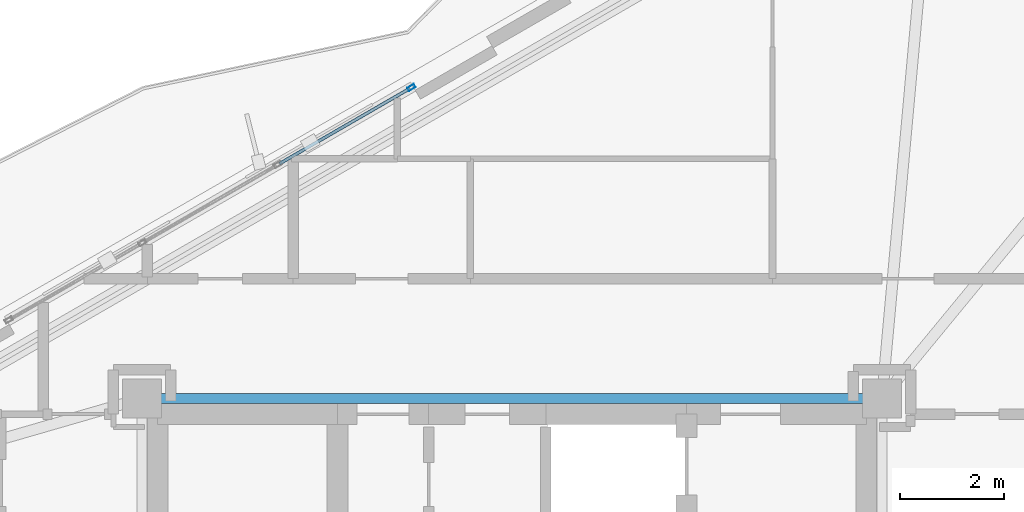
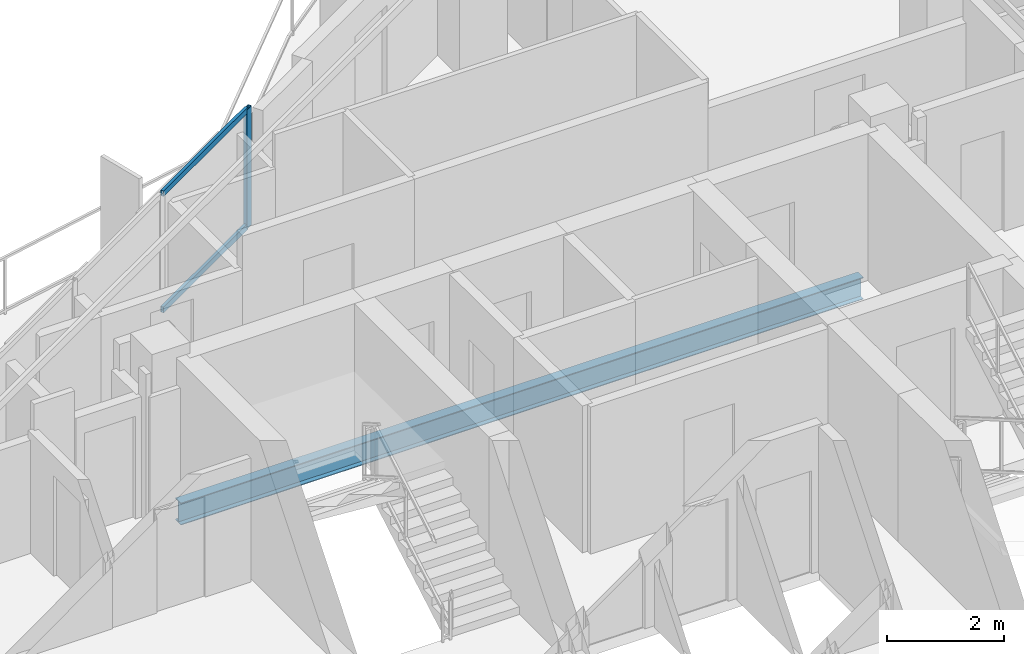
# One storey, part 14 of 22: 3 members, 1 beam, 1 element without a shape of its own.
"""IFC4 building model written with IfcOpenShell, lengths in metres."""

from ifc_helpers import new_model, si_unit, direction, frame, origin, origin_2d, place, context, subcontext, project, spatial, hollow_rectangle, i_section, extrude, material, layer, layer_set, material_profile, profile_set, type_object, element, aggregate, save


model = new_model("IFC4")

# Units and contexts
model_context = context("Model", 3, precision=1e-05, world=origin(), true_north=direction((0.0, 1.0)))
body_context = subcontext(model_context, "Body", "Model", "MODEL_VIEW")
ifc_project = project(units=[si_unit("LENGTHUNIT", "METRE"), si_unit("AREAUNIT", "SQUARE_METRE"), si_unit("VOLUMEUNIT", "CUBIC_METRE"), si_unit("PLANEANGLEUNIT", "RADIAN"), si_unit("MASSUNIT", "GRAM", prefix="KILO")], contexts=[model_context])

# Site, building, storey
site_placement = place(None, origin())
site = spatial("IfcSite", under=ifc_project, at=site_placement, CompositionType="ELEMENT")
building_placement = place(site_placement, origin())
building = spatial("IfcBuilding", under=site, at=building_placement, Name="Mersakhor Tower and Convention Hall", CompositionType="ELEMENT")
storey_placement = place(building_placement, frame((0.0, 0.0, 188.699951171875)))
storey = spatial("IfcBuildingStorey", under=building, at=storey_placement, Name="L52", CompositionType="ELEMENT", Elevation=188.699951171875)

# Beam
ifc_material_1 = material(Name="Steel S355", Category="steel")
ifc_material_profile_1 = material_profile(ifc_material_1, i_section(OverallWidth=0.19140625, OverallDepth=0.4599609375, WebThickness=0.010009765625, FlangeThickness=0.01611328125, at=origin_2d()), Name="UB 457x191x82")
ifc_profile_set_1 = profile_set([ifc_material_profile_1], Name="Steel S355")
beam_type = type_object("IfcBeamType", Name="BM-FB-457", PredefinedType="BEAM", material=ifc_profile_set_1)
beam_placement = place(storey_placement, frame((22.2548828125, 33.050048828125, -0.4599609375), z_axis=(1.0, 0.0, 0.0), x_axis=(0.0, 1.0, 0.0)))
element("IfcBeam", 1, at=beam_placement, inside=storey, type_object=beam_type, Name="L52 Core Ring Tie Beam CRB-2", PredefinedType="BEAM", context=body_context, shape_type="SweptSolid", body=[
    extrude(i_section(OverallWidth=0.19140625, OverallDepth=0.4599609375, WebThickness=0.010009765625, FlangeThickness=0.01611328125, at=origin_2d()), origin(), (0.0, 0.0, 1.0), 13.490234375),
])

# Curtain wall, members
ifc_material_2 = material(Name="Dark solar low-E aluminium curtain wall", Category="aluminium")
ifc_layer = layer(ifc_material_2, 0.169921875)
ifc_layer_set = layer_set([ifc_layer], Name="Dark solar low-E aluminium curtain wall")
curtain_wall_type = type_object("IfcCurtainWallType", Name="CW-SYS-02", PredefinedType="USERDEFINED", material=ifc_layer_set)
curtain_wall_placement = place(storey_placement, origin())
curtain_wall = element("IfcCurtainWall", 2, at=curtain_wall_placement, inside=storey, type_object=curtain_wall_type, Name="L52 Dark-Glass Curtain Wall F1-B2", ObjectType="CURTAIN WALL", PredefinedType="USERDEFINED")
ifc_material_3 = material(Name="Anodised aluminium EN AW-6063 T6", Category="aluminium")
ifc_material_profile_2 = material_profile(ifc_material_3, hollow_rectangle(XDim=0.074951171875, YDim=0.14990234375, WallThickness=0.00634765625, at=origin_2d()), Name="RHS 150x75x6.3")
ifc_profile_set_2 = profile_set([ifc_material_profile_2], Name="Anodised aluminium EN AW-6063 T6")
member_type_1 = type_object("IfcMemberType", Name="CWM-150x75", PredefinedType="MULLION", material=ifc_profile_set_2)
member_1_placement = place(storey_placement, frame((27.06982421875, 39.016845703125, 0.199951171875), z_axis=(0.0, 0.0, 1.0), x_axis=(-0.500007824483, 0.86602088627, 0.0)))
member_1 = element("IfcMember", 3, at=member_1_placement, type_object=member_type_1, Name="CW-02 mullion 4", PredefinedType="MULLION", context=body_context, shape_type="SweptSolid", body=[
    extrude(hollow_rectangle(XDim=0.074951171875, YDim=0.14990234375, WallThickness=0.00634765625, at=origin_2d()), origin(), (0.0, 0.0, 1.0), 2.489990234375),
])
ifc_material_4 = material(Name="Anodised aluminium EN AW-6063 T6", Category="aluminium")
ifc_material_profile_3 = material_profile(ifc_material_4, hollow_rectangle(XDim=0.06005859375, YDim=0.1201171875, WallThickness=0.0048828125, at=origin_2d()), Name="RHS 120x60x5")
ifc_profile_set_3 = profile_set([ifc_material_profile_3], Name="Anodised aluminium EN AW-6063 T6")
member_type_2 = type_object("IfcMemberType", Name="CWT-120x60", PredefinedType="USERDEFINED", material=ifc_profile_set_3)
member_2_placement = place(storey_placement, frame((24.537109375, 37.554443359375, 0.22998046875), z_axis=(0.86601237176, 0.50002257145, 0.0), x_axis=(-0.50002257145, 0.86601237176, 0.0)))
member_2 = element("IfcMember", 4, at=member_2_placement, type_object=member_type_2, Name="CW-02 transom 3.1", ObjectType="TRANSOM", PredefinedType="USERDEFINED", context=body_context, shape_type="SweptSolid", body=[
    extrude(hollow_rectangle(XDim=0.06005859375, YDim=0.1201171875, WallThickness=0.0048828125, at=origin_2d()), origin(), (0.0, 0.0, 1.0), 2.886962890625),
])
member_3_placement = place(storey_placement, frame((24.537109375, 37.554443359375, 2.66015625), z_axis=(0.86601237176, 0.50002257145, 0.0), x_axis=(-0.50002257145, 0.86601237176, 0.0)))
member_3 = element("IfcMember", 5, at=member_3_placement, type_object=member_type_2, Name="CW-02 transom 3.2", ObjectType="TRANSOM", PredefinedType="USERDEFINED", context=body_context, shape_type="SweptSolid", body=[
    extrude(hollow_rectangle(XDim=0.06005859375, YDim=0.1201171875, WallThickness=0.0048828125, at=origin_2d()), origin(), (0.0, 0.0, 1.0), 2.886962890625),
])
aggregate(curtain_wall, [member_1, member_2, member_3])

save(model, "model.ifc")
